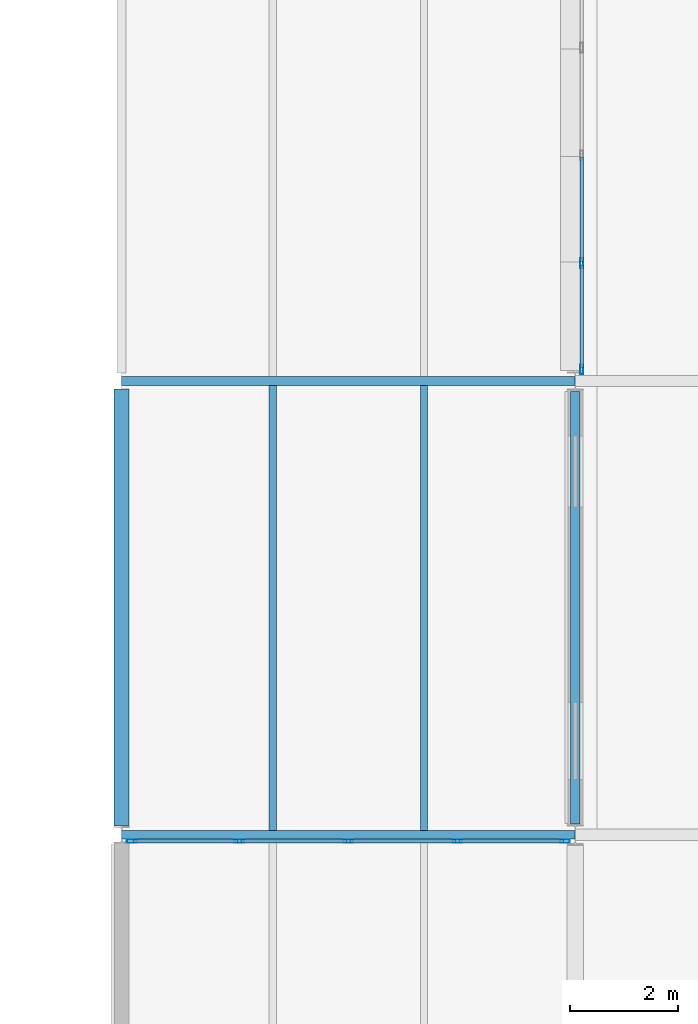
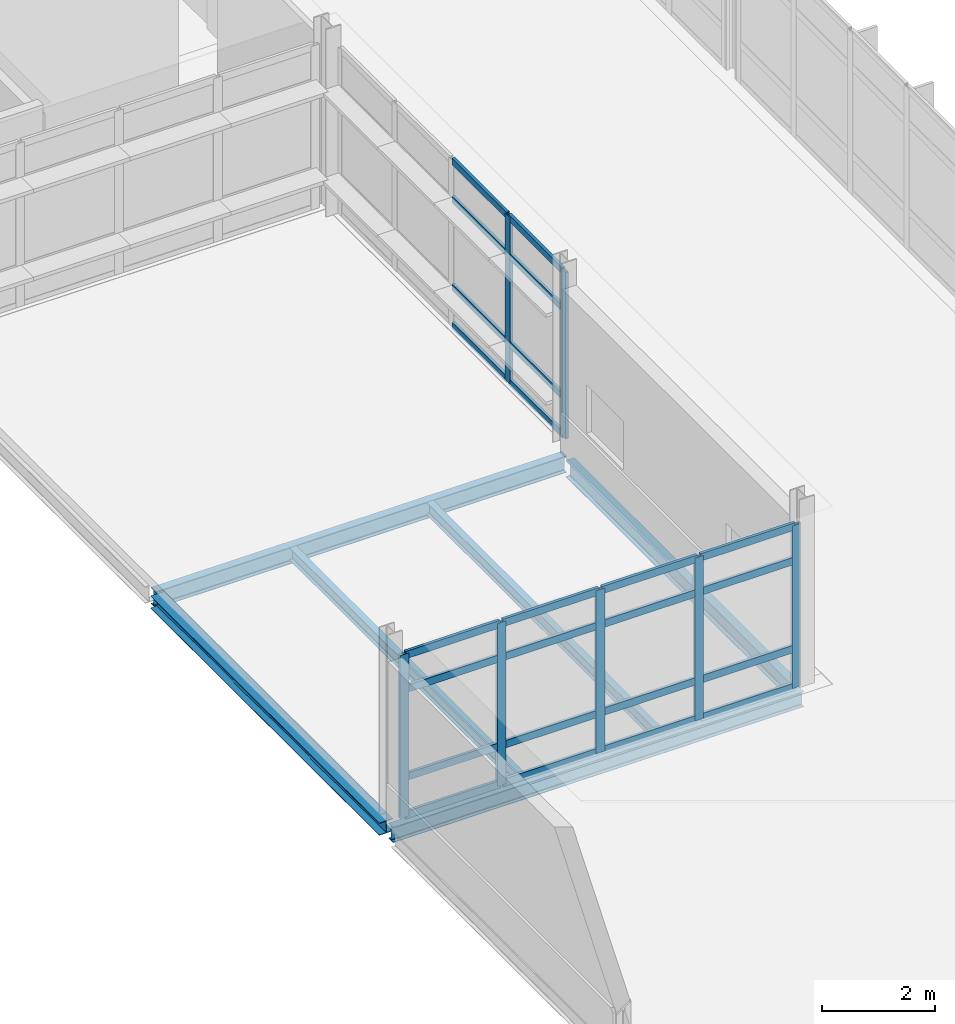
# One storey, part 62 of 103: 31 members, 6 beams, 2 elements without a shape of their own.
"""IFC4 building model written with IfcOpenShell, lengths in metres."""

from ifc_helpers import new_model, si_unit, direction, frame, origin, origin_2d, place, context, subcontext, project, spatial, hollow_rectangle, i_section, extrude, material, material_profile, profile_set, type_object, element, aggregate, save


model = new_model("IFC4")

# Units and contexts
model_context = context("Model", 3, precision=1e-05, world=origin(), true_north=direction((0.0, 1.0)))
body_context = subcontext(model_context, "Body", "Model", "MODEL_VIEW")
ifc_project = project(units=[si_unit("LENGTHUNIT", "METRE"), si_unit("AREAUNIT", "SQUARE_METRE"), si_unit("VOLUMEUNIT", "CUBIC_METRE"), si_unit("PLANEANGLEUNIT", "RADIAN"), si_unit("MASSUNIT", "GRAM", prefix="KILO")], contexts=[model_context])

# Site, building, storey
site_placement = place(None, origin())
site = spatial("IfcSite", under=ifc_project, at=site_placement, CompositionType="ELEMENT")
building_placement = place(site_placement, origin())
building = spatial("IfcBuilding", under=site, at=building_placement, Name="Mersafa Astral City Hall", CompositionType="ELEMENT")
storey_placement = place(building_placement, frame((0.0, 0.0, 18.0)))
storey = spatial("IfcBuildingStorey", under=building, at=storey_placement, Name="L04", CompositionType="ELEMENT", Elevation=18.0)

# Curtain wall, members
ifc_material_1 = material(Name="Anodised bronze aluminium framing", Category="aluminium")
curtain_wall_type_1 = type_object("IfcCurtainWallType", Name="ENV-CW-2", PredefinedType="USERDEFINED", material=ifc_material_1)
curtain_wall_1_placement = place(storey_placement, origin())
curtain_wall_1 = element("IfcCurtainWall", 1, at=curtain_wall_1_placement, inside=storey, type_object=curtain_wall_type_1, Name="L04 Unitised solar curtain wall 223", ObjectType="UNITISED CURTAIN WALL", PredefinedType="USERDEFINED")
ifc_material_profile_1 = material_profile(ifc_material_1, hollow_rectangle(XDim=0.06005859375, YDim=0.179931640625, WallThickness=0.00390625, at=origin_2d()), Name="RHS 60x180x4")
ifc_profile_set_1 = profile_set([ifc_material_profile_1], Name="Anodised bronze aluminium framing")
member_type_1 = type_object("IfcMemberType", Name="ENV-CW-MUL-1", PredefinedType="MULLION", material=ifc_profile_set_1)
member_1_placement = place(storey_placement, frame((168.1201171875, 94.5771484375, -0.001953125), z_axis=(0.0, 0.0, 1.0), x_axis=(1.0, 0.0, 0.0)))
member_1 = element("IfcMember", 2, at=member_1_placement, type_object=member_type_1, Name="CW-2 mullion 4", PredefinedType="MULLION", context=body_context, shape_type="SweptSolid", body=[
    extrude(hollow_rectangle(XDim=0.06005859375, YDim=0.179931640625, WallThickness=0.00390625, at=origin_2d()), origin(), (0.0, 0.0, 1.0), 3.598876953125),
])
member_2_placement = place(storey_placement, frame((168.1201171875, 92.612060546875, -0.001953125), z_axis=(0.0, 0.0, 1.0), x_axis=(1.0, 0.0, 0.0)))
member_2 = element("IfcMember", 3, at=member_2_placement, type_object=member_type_1, Name="CW-2 mullion 5", PredefinedType="MULLION", context=body_context, shape_type="SweptSolid", body=[
    extrude(hollow_rectangle(XDim=0.06005859375, YDim=0.179931640625, WallThickness=0.00390625, at=origin_2d()), origin(), (0.0, 0.0, 1.0), 3.598876953125),
])

curtain_wall_type_2 = type_object("IfcCurtainWallType", Name="ENV-CW-3", PredefinedType="USERDEFINED", material=ifc_material_1)
curtain_wall_2_placement = place(storey_placement, origin())
curtain_wall_2 = element("IfcCurtainWall", 4, at=curtain_wall_2_placement, inside=storey, type_object=curtain_wall_type_2, Name="L04 Unitised solar curtain wall 224", ObjectType="UNITISED CURTAIN WALL", PredefinedType="USERDEFINED")
member_3_placement = place(storey_placement, frame((167.80810546875, 83.8798828125, -0.001953125), z_axis=(0.0, 0.0, 1.0), x_axis=(0.0, -1.0, 0.0)))
member_3 = element("IfcMember", 5, at=member_3_placement, type_object=member_type_1, Name="CW-3 mullion 1", PredefinedType="MULLION", context=body_context, shape_type="SweptSolid", body=[
    extrude(hollow_rectangle(XDim=0.06005859375, YDim=0.179931640625, WallThickness=0.00390625, at=origin_2d()), origin(), (0.0, 0.0, 1.0), 3.51904296875),
])
member_4_placement = place(storey_placement, frame((165.819091796875, 83.8798828125, -0.001953125), z_axis=(0.0, 0.0, 1.0), x_axis=(0.0, -1.0, 0.0)))
member_4 = element("IfcMember", 6, at=member_4_placement, type_object=member_type_1, Name="CW-3 mullion 2", PredefinedType="MULLION", context=body_context, shape_type="SweptSolid", body=[
    extrude(hollow_rectangle(XDim=0.06005859375, YDim=0.179931640625, WallThickness=0.00390625, at=origin_2d()), origin(), (0.0, 0.0, 1.0), 3.51904296875),
])
member_5_placement = place(storey_placement, frame((163.800048828125, 83.8798828125, -0.001953125), z_axis=(0.0, 0.0, 1.0), x_axis=(0.0, -1.0, 0.0)))
member_5 = element("IfcMember", 7, at=member_5_placement, type_object=member_type_1, Name="CW-3 mullion 3", PredefinedType="MULLION", context=body_context, shape_type="SweptSolid", body=[
    extrude(hollow_rectangle(XDim=0.06005859375, YDim=0.179931640625, WallThickness=0.00390625, at=origin_2d()), origin(), (0.0, 0.0, 1.0), 3.51904296875),
])
member_6_placement = place(storey_placement, frame((161.781005859375, 83.8798828125, -0.001953125), z_axis=(0.0, 0.0, 1.0), x_axis=(0.0, -1.0, 0.0)))
member_6 = element("IfcMember", 8, at=member_6_placement, type_object=member_type_1, Name="CW-3 mullion 4", PredefinedType="MULLION", context=body_context, shape_type="SweptSolid", body=[
    extrude(hollow_rectangle(XDim=0.06005859375, YDim=0.179931640625, WallThickness=0.00390625, at=origin_2d()), origin(), (0.0, 0.0, 1.0), 3.51904296875),
])
member_7_placement = place(storey_placement, frame((159.7919921875, 83.8798828125, -0.001953125), z_axis=(0.0, 0.0, 1.0), x_axis=(0.0, -1.0, 0.0)))
member_7 = element("IfcMember", 9, at=member_7_placement, type_object=member_type_1, Name="CW-3 mullion 5", PredefinedType="MULLION", context=body_context, shape_type="SweptSolid", body=[
    extrude(hollow_rectangle(XDim=0.06005859375, YDim=0.179931640625, WallThickness=0.00390625, at=origin_2d()), origin(), (0.0, 0.0, 1.0), 3.51904296875),
])

# Member
ifc_material_profile_2 = material_profile(ifc_material_1, hollow_rectangle(XDim=0.06005859375, YDim=0.139892578125, WallThickness=0.00390625, at=origin_2d()), Name="RHS 60x140x4")
ifc_profile_set_2 = profile_set([ifc_material_profile_2], Name="Anodised bronze aluminium framing")
member_type_2 = type_object("IfcMemberType", Name="ENV-CW-TRN-1", PredefinedType="USERDEFINED", material=ifc_profile_set_2)
member_8_placement = place(storey_placement, frame((168.1201171875, 96.54248046875, 0.028076171875), z_axis=(0.0, -1.0, 0.0), x_axis=(1.0, 0.0, 0.0)))
member_8 = element("IfcMember", 10, at=member_8_placement, type_object=member_type_2, Name="CW-2 transom 3.1", ObjectType="TRANSOM", PredefinedType="USERDEFINED", context=body_context, shape_type="SweptSolid", body=[
    extrude(hollow_rectangle(XDim=0.06005859375, YDim=0.139892578125, WallThickness=0.00390625, at=origin_2d()), origin(), (0.0, 0.0, 1.0), 1.935302734375),
])

member_9_placement = place(storey_placement, frame((168.1201171875, 96.54248046875, 0.85009765625), z_axis=(0.0, -1.0, 0.0), x_axis=(1.0, 0.0, 0.0)))
member_9 = element("IfcMember", 11, at=member_9_placement, type_object=member_type_2, Name="CW-2 transom 3.2", ObjectType="TRANSOM", PredefinedType="USERDEFINED", context=body_context, shape_type="SweptSolid", body=[
    extrude(hollow_rectangle(XDim=0.06005859375, YDim=0.139892578125, WallThickness=0.00390625, at=origin_2d()), origin(), (0.0, 0.0, 1.0), 1.935302734375),
])

member_10_placement = place(storey_placement, frame((168.1201171875, 96.54248046875, 2.75), z_axis=(0.0, -1.0, 0.0), x_axis=(1.0, 0.0, 0.0)))
member_10 = element("IfcMember", 12, at=member_10_placement, type_object=member_type_2, Name="CW-2 transom 3.3", ObjectType="TRANSOM", PredefinedType="USERDEFINED", context=body_context, shape_type="SweptSolid", body=[
    extrude(hollow_rectangle(XDim=0.06005859375, YDim=0.139892578125, WallThickness=0.00390625, at=origin_2d()), origin(), (0.0, 0.0, 1.0), 1.935302734375),
])

member_11_placement = place(storey_placement, frame((168.1201171875, 96.54248046875, 3.56689453125), z_axis=(0.0, -1.0, 0.0), x_axis=(1.0, 0.0, 0.0)))
member_11 = element("IfcMember", 13, at=member_11_placement, type_object=member_type_2, Name="CW-2 transom 3.4", ObjectType="TRANSOM", PredefinedType="USERDEFINED", context=body_context, shape_type="SweptSolid", body=[
    extrude(hollow_rectangle(XDim=0.06005859375, YDim=0.139892578125, WallThickness=0.00390625, at=origin_2d()), origin(), (0.0, 0.0, 1.0), 1.935302734375),
])

member_12_placement = place(storey_placement, frame((168.1201171875, 94.54736328125, 0.028076171875), z_axis=(0.0, -1.0, 0.0), x_axis=(1.0, 0.0, 0.0)))
member_12 = element("IfcMember", 14, at=member_12_placement, type_object=member_type_2, Name="CW-2 transom 4.1", ObjectType="TRANSOM", PredefinedType="USERDEFINED", context=body_context, shape_type="SweptSolid", body=[
    extrude(hollow_rectangle(XDim=0.06005859375, YDim=0.139892578125, WallThickness=0.00390625, at=origin_2d()), origin(), (0.0, 0.0, 1.0), 1.9052734375),
])

member_13_placement = place(storey_placement, frame((168.1201171875, 94.54736328125, 0.85009765625), z_axis=(0.0, -1.0, 0.0), x_axis=(1.0, 0.0, 0.0)))
member_13 = element("IfcMember", 15, at=member_13_placement, type_object=member_type_2, Name="CW-2 transom 4.2", ObjectType="TRANSOM", PredefinedType="USERDEFINED", context=body_context, shape_type="SweptSolid", body=[
    extrude(hollow_rectangle(XDim=0.06005859375, YDim=0.139892578125, WallThickness=0.00390625, at=origin_2d()), origin(), (0.0, 0.0, 1.0), 1.9052734375),
])

member_14_placement = place(storey_placement, frame((168.1201171875, 94.54736328125, 2.75), z_axis=(0.0, -1.0, 0.0), x_axis=(1.0, 0.0, 0.0)))
member_14 = element("IfcMember", 16, at=member_14_placement, type_object=member_type_2, Name="CW-2 transom 4.3", ObjectType="TRANSOM", PredefinedType="USERDEFINED", context=body_context, shape_type="SweptSolid", body=[
    extrude(hollow_rectangle(XDim=0.06005859375, YDim=0.139892578125, WallThickness=0.00390625, at=origin_2d()), origin(), (0.0, 0.0, 1.0), 1.9052734375),
])

member_15_placement = place(storey_placement, frame((168.1201171875, 94.54736328125, 3.56689453125), z_axis=(0.0, -1.0, 0.0), x_axis=(1.0, 0.0, 0.0)))
member_15 = element("IfcMember", 17, at=member_15_placement, type_object=member_type_2, Name="CW-2 transom 4.4", ObjectType="TRANSOM", PredefinedType="USERDEFINED", context=body_context, shape_type="SweptSolid", body=[
    extrude(hollow_rectangle(XDim=0.06005859375, YDim=0.139892578125, WallThickness=0.00390625, at=origin_2d()), origin(), (0.0, 0.0, 1.0), 1.9052734375),
])

aggregate(curtain_wall_1, [member_1, member_2, member_8, member_9, member_10, member_11, member_12, member_13, member_14, member_15])

ifc_material_profile_3 = material_profile(ifc_material_1, hollow_rectangle(XDim=0.06005859375, YDim=0.159912109375, WallThickness=0.00390625, at=origin_2d()), Name="RHS 60x160x4")
ifc_profile_set_3 = profile_set([ifc_material_profile_3], Name="Anodised bronze aluminium framing")
member_type_3 = type_object("IfcMemberType", Name="ENV-CW-TRN-2", PredefinedType="USERDEFINED", material=ifc_profile_set_3)
member_16_placement = place(storey_placement, frame((167.778076171875, 83.8798828125, 0.028076171875), z_axis=(-1.0, 0.0, 0.0), x_axis=(0.0, -1.0, 0.0)))
member_16 = element("IfcMember", 18, at=member_16_placement, type_object=member_type_3, Name="CW-3 transom 1.1", ObjectType="TRANSOM", PredefinedType="USERDEFINED", context=body_context, shape_type="SweptSolid", body=[
    extrude(hollow_rectangle(XDim=0.06005859375, YDim=0.159912109375, WallThickness=0.00390625, at=origin_2d()), origin(), (0.0, 0.0, 1.0), 1.928955078125),
])

member_17_placement = place(storey_placement, frame((167.778076171875, 83.8798828125, 0.85009765625), z_axis=(-1.0, 0.0, 0.0), x_axis=(0.0, -1.0, 0.0)))
member_17 = element("IfcMember", 19, at=member_17_placement, type_object=member_type_3, Name="CW-3 transom 1.2", ObjectType="TRANSOM", PredefinedType="USERDEFINED", context=body_context, shape_type="SweptSolid", body=[
    extrude(hollow_rectangle(XDim=0.06005859375, YDim=0.159912109375, WallThickness=0.00390625, at=origin_2d()), origin(), (0.0, 0.0, 1.0), 1.928955078125),
])

member_18_placement = place(storey_placement, frame((167.778076171875, 83.8798828125, 2.75), z_axis=(-1.0, 0.0, 0.0), x_axis=(0.0, -1.0, 0.0)))
member_18 = element("IfcMember", 20, at=member_18_placement, type_object=member_type_3, Name="CW-3 transom 1.3", ObjectType="TRANSOM", PredefinedType="USERDEFINED", context=body_context, shape_type="SweptSolid", body=[
    extrude(hollow_rectangle(XDim=0.06005859375, YDim=0.159912109375, WallThickness=0.00390625, at=origin_2d()), origin(), (0.0, 0.0, 1.0), 1.928955078125),
])

member_19_placement = place(storey_placement, frame((167.778076171875, 83.8798828125, 3.487060546875), z_axis=(-1.0, 0.0, 0.0), x_axis=(0.0, -1.0, 0.0)))
member_19 = element("IfcMember", 21, at=member_19_placement, type_object=member_type_3, Name="CW-3 transom 1.4", ObjectType="TRANSOM", PredefinedType="USERDEFINED", context=body_context, shape_type="SweptSolid", body=[
    extrude(hollow_rectangle(XDim=0.06005859375, YDim=0.159912109375, WallThickness=0.00390625, at=origin_2d()), origin(), (0.0, 0.0, 1.0), 1.928955078125),
])

member_20_placement = place(storey_placement, frame((165.7890625, 83.8798828125, 0.028076171875), z_axis=(-1.0, 0.0, 0.0), x_axis=(0.0, -1.0, 0.0)))
member_20 = element("IfcMember", 22, at=member_20_placement, type_object=member_type_3, Name="CW-3 transom 2.1", ObjectType="TRANSOM", PredefinedType="USERDEFINED", context=body_context, shape_type="SweptSolid", body=[
    extrude(hollow_rectangle(XDim=0.06005859375, YDim=0.159912109375, WallThickness=0.00390625, at=origin_2d()), origin(), (0.0, 0.0, 1.0), 1.958984375),
])

member_21_placement = place(storey_placement, frame((165.7890625, 83.8798828125, 0.85009765625), z_axis=(-1.0, 0.0, 0.0), x_axis=(0.0, -1.0, 0.0)))
member_21 = element("IfcMember", 23, at=member_21_placement, type_object=member_type_3, Name="CW-3 transom 2.2", ObjectType="TRANSOM", PredefinedType="USERDEFINED", context=body_context, shape_type="SweptSolid", body=[
    extrude(hollow_rectangle(XDim=0.06005859375, YDim=0.159912109375, WallThickness=0.00390625, at=origin_2d()), origin(), (0.0, 0.0, 1.0), 1.958984375),
])

member_22_placement = place(storey_placement, frame((165.7890625, 83.8798828125, 2.75), z_axis=(-1.0, 0.0, 0.0), x_axis=(0.0, -1.0, 0.0)))
member_22 = element("IfcMember", 24, at=member_22_placement, type_object=member_type_3, Name="CW-3 transom 2.3", ObjectType="TRANSOM", PredefinedType="USERDEFINED", context=body_context, shape_type="SweptSolid", body=[
    extrude(hollow_rectangle(XDim=0.06005859375, YDim=0.159912109375, WallThickness=0.00390625, at=origin_2d()), origin(), (0.0, 0.0, 1.0), 1.958984375),
])

member_23_placement = place(storey_placement, frame((165.7890625, 83.8798828125, 3.487060546875), z_axis=(-1.0, 0.0, 0.0), x_axis=(0.0, -1.0, 0.0)))
member_23 = element("IfcMember", 25, at=member_23_placement, type_object=member_type_3, Name="CW-3 transom 2.4", ObjectType="TRANSOM", PredefinedType="USERDEFINED", context=body_context, shape_type="SweptSolid", body=[
    extrude(hollow_rectangle(XDim=0.06005859375, YDim=0.159912109375, WallThickness=0.00390625, at=origin_2d()), origin(), (0.0, 0.0, 1.0), 1.958984375),
])

member_24_placement = place(storey_placement, frame((163.77001953125, 83.8798828125, 0.028076171875), z_axis=(-1.0, 0.0, 0.0), x_axis=(0.0, -1.0, 0.0)))
member_24 = element("IfcMember", 26, at=member_24_placement, type_object=member_type_3, Name="CW-3 transom 3.1", ObjectType="TRANSOM", PredefinedType="USERDEFINED", context=body_context, shape_type="SweptSolid", body=[
    extrude(hollow_rectangle(XDim=0.06005859375, YDim=0.159912109375, WallThickness=0.00390625, at=origin_2d()), origin(), (0.0, 0.0, 1.0), 1.958984375),
])

member_25_placement = place(storey_placement, frame((163.77001953125, 83.8798828125, 0.85009765625), z_axis=(-1.0, 0.0, 0.0), x_axis=(0.0, -1.0, 0.0)))
member_25 = element("IfcMember", 27, at=member_25_placement, type_object=member_type_3, Name="CW-3 transom 3.2", ObjectType="TRANSOM", PredefinedType="USERDEFINED", context=body_context, shape_type="SweptSolid", body=[
    extrude(hollow_rectangle(XDim=0.06005859375, YDim=0.159912109375, WallThickness=0.00390625, at=origin_2d()), origin(), (0.0, 0.0, 1.0), 1.958984375),
])

member_26_placement = place(storey_placement, frame((163.77001953125, 83.8798828125, 2.75), z_axis=(-1.0, 0.0, 0.0), x_axis=(0.0, -1.0, 0.0)))
member_26 = element("IfcMember", 28, at=member_26_placement, type_object=member_type_3, Name="CW-3 transom 3.3", ObjectType="TRANSOM", PredefinedType="USERDEFINED", context=body_context, shape_type="SweptSolid", body=[
    extrude(hollow_rectangle(XDim=0.06005859375, YDim=0.159912109375, WallThickness=0.00390625, at=origin_2d()), origin(), (0.0, 0.0, 1.0), 1.958984375),
])

member_27_placement = place(storey_placement, frame((163.77001953125, 83.8798828125, 3.487060546875), z_axis=(-1.0, 0.0, 0.0), x_axis=(0.0, -1.0, 0.0)))
member_27 = element("IfcMember", 29, at=member_27_placement, type_object=member_type_3, Name="CW-3 transom 3.4", ObjectType="TRANSOM", PredefinedType="USERDEFINED", context=body_context, shape_type="SweptSolid", body=[
    extrude(hollow_rectangle(XDim=0.06005859375, YDim=0.159912109375, WallThickness=0.00390625, at=origin_2d()), origin(), (0.0, 0.0, 1.0), 1.958984375),
])

member_28_placement = place(storey_placement, frame((161.7509765625, 83.8798828125, 0.028076171875), z_axis=(-1.0, 0.0, 0.0), x_axis=(0.0, -1.0, 0.0)))
member_28 = element("IfcMember", 30, at=member_28_placement, type_object=member_type_3, Name="CW-3 transom 4.1", ObjectType="TRANSOM", PredefinedType="USERDEFINED", context=body_context, shape_type="SweptSolid", body=[
    extrude(hollow_rectangle(XDim=0.06005859375, YDim=0.159912109375, WallThickness=0.00390625, at=origin_2d()), origin(), (0.0, 0.0, 1.0), 1.928955078125),
])

member_29_placement = place(storey_placement, frame((161.7509765625, 83.8798828125, 0.85009765625), z_axis=(-1.0, 0.0, 0.0), x_axis=(0.0, -1.0, 0.0)))
member_29 = element("IfcMember", 31, at=member_29_placement, type_object=member_type_3, Name="CW-3 transom 4.2", ObjectType="TRANSOM", PredefinedType="USERDEFINED", context=body_context, shape_type="SweptSolid", body=[
    extrude(hollow_rectangle(XDim=0.06005859375, YDim=0.159912109375, WallThickness=0.00390625, at=origin_2d()), origin(), (0.0, 0.0, 1.0), 1.928955078125),
])

member_30_placement = place(storey_placement, frame((161.7509765625, 83.8798828125, 2.75), z_axis=(-1.0, 0.0, 0.0), x_axis=(0.0, -1.0, 0.0)))
member_30 = element("IfcMember", 32, at=member_30_placement, type_object=member_type_3, Name="CW-3 transom 4.3", ObjectType="TRANSOM", PredefinedType="USERDEFINED", context=body_context, shape_type="SweptSolid", body=[
    extrude(hollow_rectangle(XDim=0.06005859375, YDim=0.159912109375, WallThickness=0.00390625, at=origin_2d()), origin(), (0.0, 0.0, 1.0), 1.928955078125),
])

member_31_placement = place(storey_placement, frame((161.7509765625, 83.8798828125, 3.487060546875), z_axis=(-1.0, 0.0, 0.0), x_axis=(0.0, -1.0, 0.0)))
member_31 = element("IfcMember", 33, at=member_31_placement, type_object=member_type_3, Name="CW-3 transom 4.4", ObjectType="TRANSOM", PredefinedType="USERDEFINED", context=body_context, shape_type="SweptSolid", body=[
    extrude(hollow_rectangle(XDim=0.06005859375, YDim=0.159912109375, WallThickness=0.00390625, at=origin_2d()), origin(), (0.0, 0.0, 1.0), 1.928955078125),
])

aggregate(curtain_wall_2, [member_3, member_4, member_5, member_6, member_7, member_16, member_17, member_18, member_19, member_20, member_21, member_22, member_23, member_24, member_25, member_26, member_27, member_28, member_29, member_30, member_31])

# Beams
ifc_material_2 = material(Name="Steel S355", Category="steel")
ifc_material_profile_4 = material_profile(ifc_material_2, i_section(OverallWidth=0.135009765625, OverallDepth=0.27001953125, WebThickness=0.006591796875, FlangeThickness=0.01025390625, FilletRadius=0.014892578125, at=origin_2d()), Name="IPE 270")
ifc_profile_set_4 = profile_set([ifc_material_profile_4], Name="Steel S355")
beam_type_1 = type_object("IfcBeamType", Name="STR-BM-JOIST-IPE270", PredefinedType="JOIST", material=ifc_profile_set_4)
for number, where, z_axis, x_axis, name in (
    (34, (162.39990234375, 84.074951171875, -0.3349609375), (0.0, 1.0, 0.0), (-1.0, 0.0, 0.0), "L04 Flat roof secondary joist 15"),
    (35, (165.199951171875, 84.074951171875, -0.3349609375), (0.0, 1.0, 0.0), (-1.0, 0.0, 0.0), "L04 Flat roof secondary joist 16"),
):
    element("IfcBeam", number, at=place(storey_placement, frame(where, z_axis=z_axis, x_axis=x_axis)), inside=storey, type_object=beam_type_1, Name=name, PredefinedType="JOIST", context=body_context, shape_type="SweptSolid", body=[
        extrude(i_section(OverallWidth=0.135009765625, OverallDepth=0.27001953125, WebThickness=0.006591796875, FlangeThickness=0.01025390625, FilletRadius=0.014892578125, at=origin_2d()), origin(), (0.0, 0.0, 1.0), 8.2451171875),
    ])
ifc_material_profile_5 = material_profile(ifc_material_2, i_section(OverallWidth=0.280029296875, OverallDepth=0.27001953125, WebThickness=0.008056640625, FlangeThickness=0.012939453125, FilletRadius=0.02392578125, at=origin_2d()), Name="HEA 280")
ifc_profile_set_5 = profile_set([ifc_material_profile_5], Name="Steel S355")
beam_type_2 = type_object("IfcBeamType", Name="STR-BM-SPANDREL-HEA280", PredefinedType="SPANDREL", material=ifc_profile_set_5)
beam_1_placement = place(storey_placement, frame((159.60009765625, 84.1650390625, -0.3349609375), z_axis=(0.0, 1.0, 0.0), x_axis=(-1.0, 0.0, 0.0)))
element("IfcBeam", 36, at=beam_1_placement, inside=storey, type_object=beam_type_2, Name="L04 Primary girder Y 19-10", PredefinedType="SPANDREL", context=body_context, shape_type="SweptSolid", body=[
    extrude(i_section(OverallWidth=0.280029296875, OverallDepth=0.27001953125, WebThickness=0.008056640625, FlangeThickness=0.012939453125, FilletRadius=0.02392578125, at=origin_2d()), origin(), (0.0, 0.0, 1.0), 8.08984375),
])
ifc_material_profile_6 = material_profile(ifc_material_2, i_section(OverallWidth=0.159912109375, OverallDepth=0.330078125, WebThickness=0.007568359375, FlangeThickness=0.011474609375, FilletRadius=0.01806640625, at=origin_2d()), Name="IPE 330")
ifc_profile_set_6 = profile_set([ifc_material_profile_6], Name="Steel S355")
beam_type_3 = type_object("IfcBeamType", Name="STR-BM-SPANDREL-IPE330", PredefinedType="SPANDREL", material=ifc_profile_set_6)
beam_2_placement = place(storey_placement, frame((159.60302734375, 84.0, -0.364990234375), z_axis=(1.0, 0.0, 0.0), x_axis=(0.0, 1.0, 0.0)))
element("IfcBeam", 37, at=beam_2_placement, inside=storey, type_object=beam_type_3, Name="L04 Primary girder X 19-10", PredefinedType="SPANDREL", context=body_context, shape_type="SweptSolid", body=[
    extrude(i_section(OverallWidth=0.159912109375, OverallDepth=0.330078125, WebThickness=0.007568359375, FlangeThickness=0.011474609375, FilletRadius=0.01806640625, at=origin_2d()), origin(), (0.0, 0.0, 1.0), 8.39404296875),
])
ifc_material_profile_7 = material_profile(ifc_material_2, i_section(OverallWidth=0.169921875, OverallDepth=0.360107421875, WebThickness=0.008056640625, FlangeThickness=0.0126953125, FilletRadius=0.01806640625, at=origin_2d()), Name="IPE 360")
ifc_profile_set_7 = profile_set([ifc_material_profile_7], Name="Steel S355")
beam_type_4 = type_object("IfcBeamType", Name="STR-BM-SPANDREL-IPE360", PredefinedType="SPANDREL", material=ifc_profile_set_7)
beam_3_placement = place(storey_placement, frame((159.60302734375, 92.39990234375, -0.3798828125), z_axis=(1.0, 0.0, 0.0), x_axis=(0.0, 1.0, 0.0)))
element("IfcBeam", 38, at=beam_3_placement, inside=storey, type_object=beam_type_4, Name="L04 Primary girder X 19-11", PredefinedType="SPANDREL", context=body_context, shape_type="SweptSolid", body=[
    extrude(i_section(OverallWidth=0.169921875, OverallDepth=0.360107421875, WebThickness=0.008056640625, FlangeThickness=0.0126953125, FilletRadius=0.01806640625, at=origin_2d()), origin(), (0.0, 0.0, 1.0), 8.39404296875),
])
beam_4_placement = place(storey_placement, frame((168.0, 84.195068359375, -0.3798828125), z_axis=(0.0, 1.0, 0.0), x_axis=(-1.0, 0.0, 0.0)))
element("IfcBeam", 39, at=beam_4_placement, inside=storey, type_object=beam_type_4, Name="L04 Primary girder Y 20-10", PredefinedType="SPANDREL", context=body_context, shape_type="SweptSolid", body=[
    extrude(i_section(OverallWidth=0.169921875, OverallDepth=0.360107421875, WebThickness=0.008056640625, FlangeThickness=0.0126953125, FilletRadius=0.01806640625, at=origin_2d()), origin(), (0.0, 0.0, 1.0), 8.010009765625),
])

save(model, "model.ifc")
